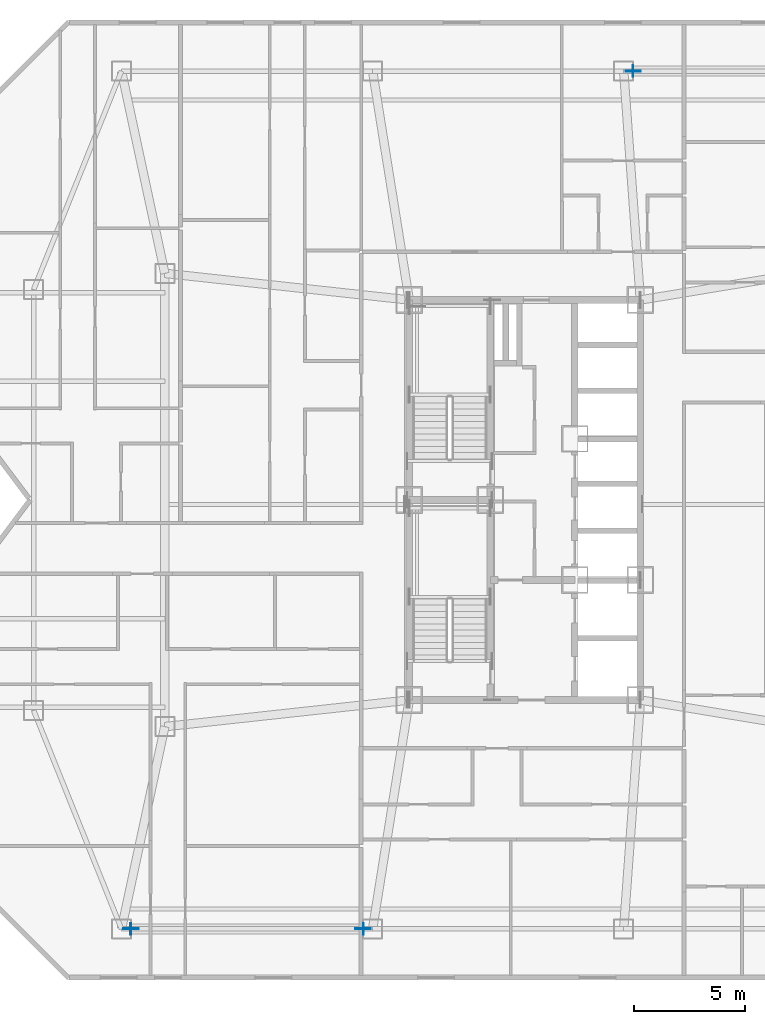
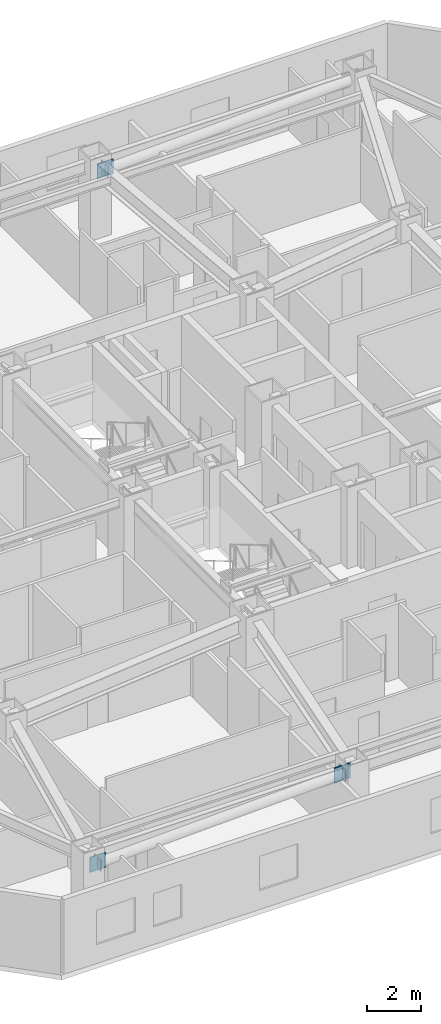
# One storey, part 9 of 17: 6 plates.
"""IFC4 building model written with IfcOpenShell, lengths in metres."""

from ifc_helpers import new_model, si_unit, direction, frame, origin, origin_2d, place, context, subcontext, project, spatial, rectangle, extrude, material, layer, layer_set, type_object, element, save


model = new_model("IFC4")

# Units and contexts
model_context = context("Model", 3, precision=1e-05, world=origin(), true_north=direction((0.0, 1.0)))
body_context = subcontext(model_context, "Body", "Model", "MODEL_VIEW")
ifc_project = project(units=[si_unit("LENGTHUNIT", "METRE"), si_unit("AREAUNIT", "SQUARE_METRE"), si_unit("VOLUMEUNIT", "CUBIC_METRE"), si_unit("PLANEANGLEUNIT", "RADIAN"), si_unit("MASSUNIT", "GRAM", prefix="KILO")], contexts=[model_context])

# Site, building, storey
site_placement = place(None, origin())
site = spatial("IfcSite", under=ifc_project, at=site_placement, CompositionType="ELEMENT")
building_placement = place(site_placement, origin())
building = spatial("IfcBuilding", under=site, at=building_placement, Name="Khamvora Tower", CompositionType="ELEMENT")
storey_placement = place(building_placement, frame((0.0, 0.0, 142.050048828125)))
storey = spatial("IfcBuildingStorey", under=building, at=storey_placement, Name="L36", CompositionType="ELEMENT", Elevation=142.050048828125)

# Plates
ifc_material_1 = material(Name="Steel S355", Category="steel")
ifc_layer_1 = layer(ifc_material_1, 0.02490234375)
ifc_layer_set_1 = layer_set([ifc_layer_1], Name="Steel S355")
plate_type_1 = type_object("IfcPlateType", Name="PL-CAP-25", PredefinedType="SHEET", material=ifc_layer_set_1)
for number, where, z_axis, x_axis, name in (
    (1, (16.468017578125, 8.699951171875, 2.4375), (0.0, 0.0, 1.0), (1.0, 0.0, 0.0), "L36 hollow section steel end cap plate 0788"),
    (2, (26.931884765625, 8.699951171875, 2.826416015625), (0.0, 0.0, 1.0), (1.0, 0.0, 0.0), "L36 hollow section steel end cap plate 0789"),
    (3, (39.068115234375, 47.300048828125, 2.4375), (0.0, 0.0, 1.0), (1.0, 0.0, 0.0), "L36 hollow section steel end cap plate 0790"),
):
    element("IfcPlate", number, at=place(storey_placement, frame(where, z_axis=z_axis, x_axis=x_axis)), inside=storey, type_object=plate_type_1, Name=name, PredefinedType="SHEET", context=body_context, shape_type="SweptSolid", body=[
        extrude(rectangle(XDim=0.02490234375, YDim=0.51708984375, at=origin_2d()), origin(), (0.0, 0.0, 1.0), 0.51708984375),
    ])
ifc_material_2 = material(Name="Steel S460", Category="steel")
ifc_layer_2 = layer(ifc_material_2, 0.0400390625)
ifc_layer_set_2 = layer_set([ifc_layer_2], Name="Steel S460")
plate_type_2 = type_object("IfcPlateType", Name="PLT-GUS-40", PredefinedType="SHEET", material=ifc_layer_set_2)
for number, where, z_axis, x_axis, name in (
    (4, (16.47998046875, 8.699951171875, 2.35595703125), (0.0, 0.0, 1.0), (1.0, 0.0, 0.0), "L36 brace connection node gusset plate 0221"),
    (5, (26.919921875, 8.699951171875, 2.7451171875), (0.0, 0.0, 1.0), (1.0, 0.0, 0.0), "L36 brace connection node gusset plate 0222"),
    (6, (39.080078125, 47.300048828125, 2.35595703125), (0.0, 0.0, 1.0), (1.0, 0.0, 0.0), "L36 brace connection node gusset plate 0223"),
):
    element("IfcPlate", number, at=place(storey_placement, frame(where, z_axis=z_axis, x_axis=x_axis)), inside=storey, type_object=plate_type_2, Name=name, PredefinedType="SHEET", context=body_context, shape_type="SweptSolid", body=[
        extrude(rectangle(XDim=0.679931640625, YDim=0.0400390625, at=origin_2d()), origin(), (0.0, 0.0, 1.0), 0.679931640625),
    ])

save(model, "model.ifc")
